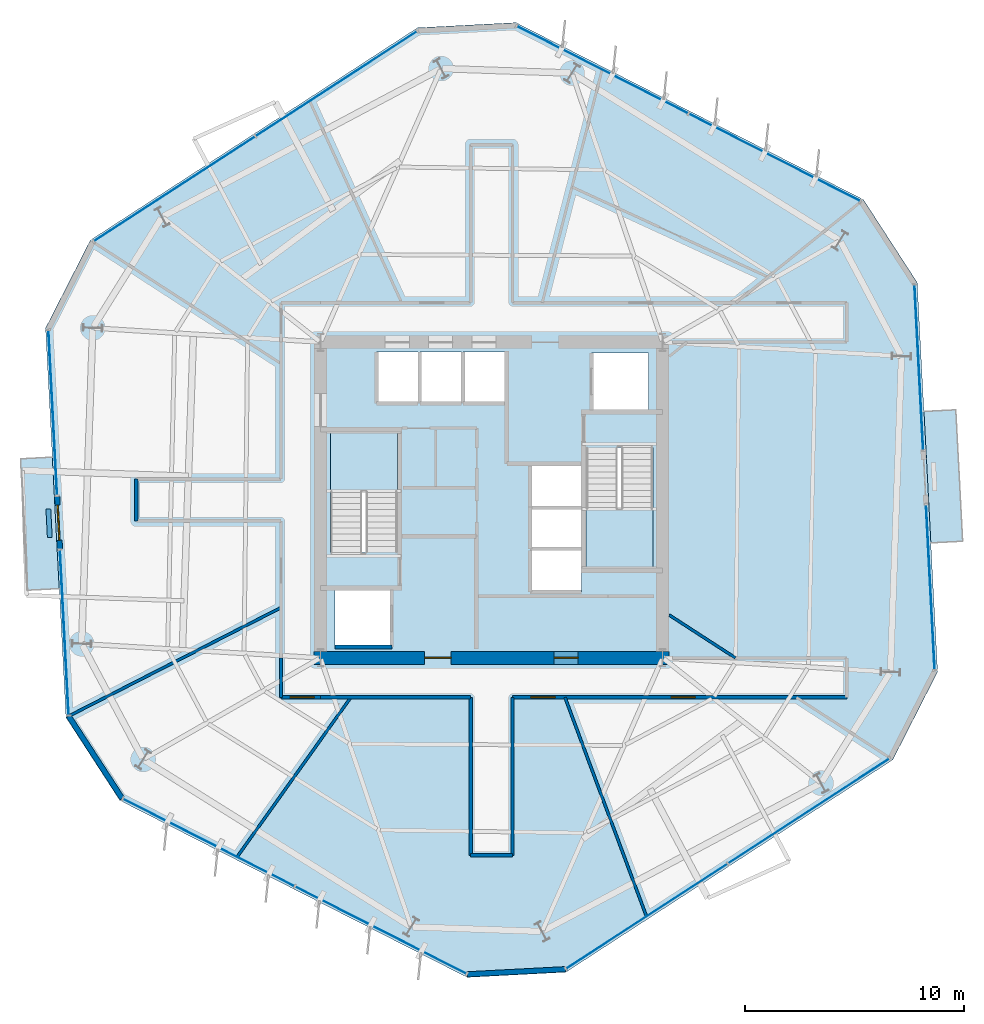
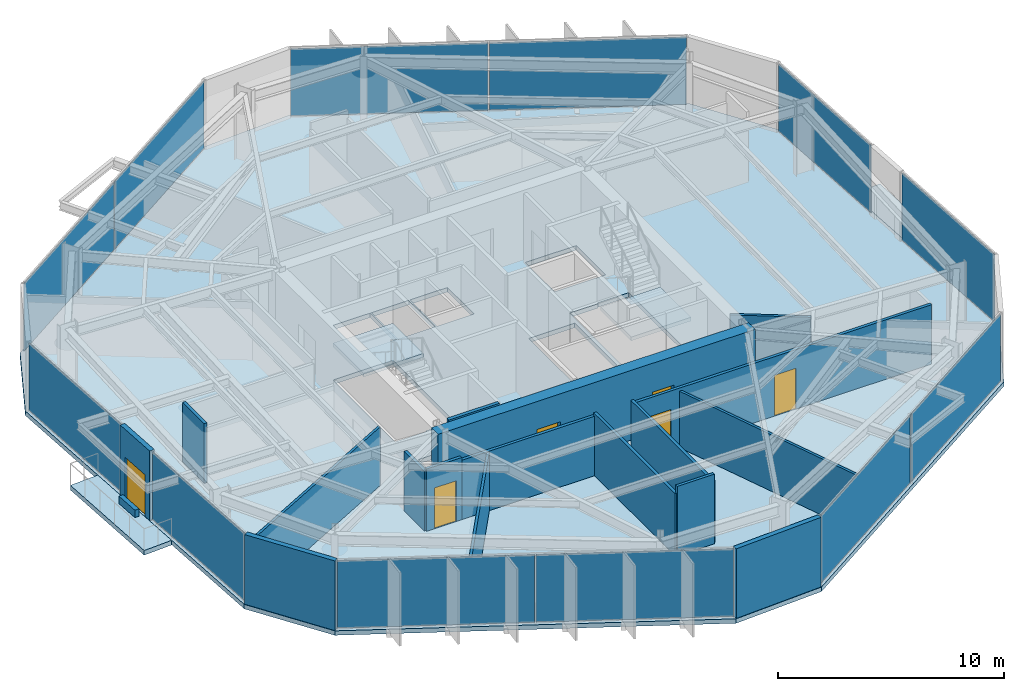
# One storey, part 6 of 12: 18 walls, 12 plates, 6 doors, 5 slabs, 6 openings, 10 elements without a shape of their own.
"""IFC4 building model written with IfcOpenShell, lengths in metres."""

from ifc_helpers import new_model, si_unit, direction, frame, frame_2d, origin, origin_2d, place, context, subcontext, project, spatial, polyline, rectangle, outline, extrude, material, layer, layer_set, type_object, element, fill, aggregate, save


model = new_model("IFC4")

# Units and contexts
model_context = context("Model", 3, precision=1e-05, world=origin(), true_north=direction((0.0, 1.0)))
body_context = subcontext(model_context, "Body", "Model", "MODEL_VIEW")
ifc_project = project(units=[si_unit("LENGTHUNIT", "METRE"), si_unit("AREAUNIT", "SQUARE_METRE"), si_unit("VOLUMEUNIT", "CUBIC_METRE"), si_unit("PLANEANGLEUNIT", "RADIAN"), si_unit("MASSUNIT", "GRAM", prefix="KILO")], contexts=[model_context])

# Site, building, storey
site_placement = place(None, origin())
site = spatial("IfcSite", under=ifc_project, at=site_placement, CompositionType="ELEMENT")
building_placement = place(site_placement, origin())
building = spatial("IfcBuilding", under=site, at=building_placement, Name="Kranzbogen Civic Tower", CompositionType="ELEMENT")
storey_placement = place(building_placement, frame((0.0, 0.0, 154.39990234375)))
storey = spatial("IfcBuildingStorey", under=building, at=storey_placement, Name="L37", CompositionType="ELEMENT", Elevation=154.39990234375)

# Slab
ifc_material_1 = material(Name="Concrete C40/50", Category="concrete")
ifc_layer_1 = layer(ifc_material_1, 0.239990234375, Name="Concrete C40/50")
ifc_layer_set_1 = layer_set([ifc_layer_1], Name="Concrete C40/50")
slab_type_1 = type_object("IfcSlabType", Name="Composite Lower Tower Floor Slab 240 mm", PredefinedType="FLOOR", material=ifc_layer_set_1)
slab_1_placement = place(storey_placement, frame((0.0, 0.0, -0.239990234375)))
element("IfcSlab", 1, at=slab_1_placement, inside=storey, type_object=slab_type_1, Name="L37 tower floor slab", PredefinedType="FLOOR", context=body_context, shape_type="SweptSolid", body=[
    extrude(outline(polyline([(41.95703125, 38.695068359375), (26.112060546875, 46.76806640625), (21.617919921875, 46.531982421875), (6.705078125, 36.846923828125), (4.662109375, 32.837890625), (5.593017578125, 15.080078125), (8.04296875, 11.304931640625), (23.887939453125, 3.23193359375), (28.382080078125, 3.468017578125), (43.294921875, 13.153076171875), (45.337890625, 17.162109375), (44.406982421875, 34.919921875), (41.95703125, 38.695068359375)]), holes=[polyline([(20.449951171875, 20.89990234375), (20.449951171875, 18.300048828125), (17.85009765625, 18.300048828125), (17.85009765625, 20.89990234375), (20.449951171875, 20.89990234375)]), polyline([(29.10009765625, 22.699951171875), (29.10009765625, 20.800048828125), (26.75, 20.800048828125), (26.75, 22.699951171875), (29.10009765625, 22.699951171875)]), polyline([(29.10009765625, 24.64990234375), (29.10009765625, 22.77490234375), (26.75, 22.77490234375), (26.75, 24.64990234375), (26.75, 24.675048828125), (26.75, 26.550048828125), (29.10009765625, 26.550048828125), (29.10009765625, 24.675048828125), (29.10009765625, 24.64990234375)]), polyline([(30.75, 27.340087890625), (30.75, 27.39990234375), (32.35009765625, 27.39990234375), (32.35009765625, 21.89990234375), (29.300048828125, 21.89990234375), (29.300048828125, 27.340087890625), (30.75, 27.340087890625)]), polyline([(19.25, 22.659912109375), (19.25, 22.60009765625), (17.64990234375, 22.60009765625), (17.64990234375, 28.10009765625), (20.699951171875, 28.10009765625), (20.699951171875, 22.659912109375), (19.25, 22.659912109375)]), polyline([(32.14990234375, 31.699951171875), (32.14990234375, 29.10009765625), (29.550048828125, 29.10009765625), (29.550048828125, 31.699951171875), (32.14990234375, 31.699951171875)]), polyline([(21.64990234375, 31.75), (21.64990234375, 29.39990234375), (19.75, 29.39990234375), (19.75, 31.75), (21.64990234375, 31.75)]), polyline([(23.625, 29.39990234375), (21.72509765625, 29.39990234375), (21.72509765625, 31.75), (23.625, 31.75), (23.625, 29.39990234375)]), polyline([(25.60009765625, 29.39990234375), (23.699951171875, 29.39990234375), (23.699951171875, 31.75), (25.60009765625, 31.75), (25.60009765625, 29.39990234375)])]), origin(), (0.0, 0.0, 1.0), 0.239990234375),
])

# Curtain wall, plates
ifc_material_2 = material(Name="Pale Anodised Aluminium", Category="aluminium")
ifc_layer_2 = layer(ifc_material_2, 0.219970703125, Name="Pale Anodised Aluminium")
ifc_layer_set_2 = layer_set([ifc_layer_2], Name="Pale Anodised Aluminium")
curtain_wall_type = type_object("IfcCurtainWallType", Name="Zone 2 Stick Curtain Wall System CW-03", PredefinedType="USERDEFINED", material=ifc_layer_set_2)
curtain_wall_1_placement = place(storey_placement, origin())
curtain_wall_1 = element("IfcCurtainWall", 2, at=curtain_wall_1_placement, inside=storey, type_object=curtain_wall_type, Name="L37 curtain wall CW-L37-F1", ObjectType="STICK CURTAIN WALL", PredefinedType="USERDEFINED")
ifc_material_3 = material(Name="Low-E Triple Glazing Glass", Category="glass")
ifc_layer_3 = layer(ifc_material_3, 0.031982421875, Name="Low-E Triple Glazing Glass")
ifc_layer_set_3 = layer_set([ifc_layer_3], Name="Low-E Triple Glazing Glass")
plate_type = type_object("IfcPlateType", Name="Insulated Low-E Glazing Panel 32 mm", PredefinedType="CURTAIN_PANEL", material=ifc_layer_set_3)
plate_1_placement = place(storey_placement, frame((37.89892578125, 40.619140625, 0.06005859375), z_axis=(0.0, 0.0, 1.0), x_axis=(-0.891017035872, 0.453969868809, 0.0)))
plate_1 = element("IfcPlate", 3, at=plate_1_placement, type_object=plate_type, Name="CW-03 panel 1.1", PredefinedType="CURTAIN_PANEL", context=body_context, shape_type="SweptSolid", body=[
    extrude(rectangle(XDim=8.744384765625, YDim=0.028076171875, at=origin_2d()), origin(), (0.0, 0.0, 1.0), 3.639892578125),
])
plate_2_placement = place(storey_placement, frame((30.05419921875, 44.615966796875, 0.06005859375), z_axis=(0.0, 0.0, 1.0), x_axis=(-0.891017035872, 0.453969868809, 0.0)))
plate_2 = element("IfcPlate", 4, at=plate_2_placement, type_object=plate_type, Name="CW-03 panel 2.1", PredefinedType="CURTAIN_PANEL", context=body_context, shape_type="SweptSolid", body=[
    extrude(rectangle(XDim=8.744384765625, YDim=0.028076171875, at=origin_2d()), origin(), (0.0, 0.0, 1.0), 3.639892578125),
])
aggregate(curtain_wall_1, [plate_1, plate_2])

curtain_wall_2_placement = place(storey_placement, origin())
curtain_wall_2 = element("IfcCurtainWall", 5, at=curtain_wall_2_placement, inside=storey, type_object=curtain_wall_type, Name="L37 curtain wall CW-L37-F2", ObjectType="STICK CURTAIN WALL", PredefinedType="USERDEFINED")
plate_3_placement = place(storey_placement, frame((17.923095703125, 43.97998046875, 0.06005859375), z_axis=(0.0, 0.0, 1.0), x_axis=(-0.83865175397, -0.544668004901, 0.0)))
plate_3 = element("IfcPlate", 6, at=plate_3_placement, type_object=plate_type, Name="CW-03 panel 1.1", PredefinedType="CURTAIN_PANEL", context=body_context, shape_type="SweptSolid", body=[
    extrude(rectangle(XDim=8.743896484375, YDim=0.028076171875, at=origin_2d()), origin(), (0.0, 0.0, 1.0), 3.639892578125),
])
plate_4_placement = place(storey_placement, frame((10.539794921875, 39.184814453125, 0.06005859375), z_axis=(0.0, 0.0, 1.0), x_axis=(-0.83865175397, -0.544668004901, 0.0)))
plate_4 = element("IfcPlate", 7, at=plate_4_placement, type_object=plate_type, Name="CW-03 panel 2.1", PredefinedType="CURTAIN_PANEL", context=body_context, shape_type="SweptSolid", body=[
    extrude(rectangle(XDim=8.743896484375, YDim=0.028076171875, at=origin_2d()), origin(), (0.0, 0.0, 1.0), 3.639892578125),
])
aggregate(curtain_wall_2, [plate_3, plate_4])

# Curtain wall, plate
curtain_wall_3_placement = place(storey_placement, origin())
curtain_wall_3 = element("IfcCurtainWall", 8, at=curtain_wall_3_placement, inside=storey, type_object=curtain_wall_type, Name="L37 curtain wall CW-L37-F3-S1", ObjectType="STICK CURTAIN WALL", PredefinedType="USERDEFINED")
plate_5_placement = place(storey_placement, frame((4.992919921875, 28.97607421875, 0.06005859375), z_axis=(0.0, 0.0, 1.0), x_axis=(0.052393835252, -0.998626499762, 0.0)))
plate_5 = element("IfcPlate", 9, at=plate_5_placement, type_object=plate_type, Name="CW-03 panel 1.1", PredefinedType="CURTAIN_PANEL", context=body_context, shape_type="SweptSolid", body=[
    extrude(rectangle(XDim=7.514404296875, YDim=0.028076171875, at=origin_2d()), origin(), (0.0, 0.0, 1.0), 3.639892578125),
])
aggregate(curtain_wall_3, [plate_5])

curtain_wall_4_placement = place(storey_placement, origin())
curtain_wall_4 = element("IfcCurtainWall", 10, at=curtain_wall_4_placement, inside=storey, type_object=curtain_wall_type, Name="L37 curtain wall CW-L37-F3-S2", ObjectType="STICK CURTAIN WALL", PredefinedType="USERDEFINED")
plate_6_placement = place(storey_placement, frame((5.51806640625, 18.95556640625, 0.06005859375), z_axis=(0.0, 0.0, 1.0), x_axis=(0.052400689505, -0.998626140124, 0.0)))
plate_6 = element("IfcPlate", 11, at=plate_6_placement, type_object=plate_type, Name="CW-03 panel 1.1", PredefinedType="CURTAIN_PANEL", context=body_context, shape_type="SweptSolid", body=[
    extrude(rectangle(XDim=7.513427734375, YDim=0.028076171875, at=origin_2d()), origin(), (0.0, 0.0, 1.0), 3.639892578125),
])
aggregate(curtain_wall_4, [plate_6])

# Curtain wall, plates
curtain_wall_5_placement = place(storey_placement, origin())
curtain_wall_5 = element("IfcCurtainWall", 12, at=curtain_wall_5_placement, inside=storey, type_object=curtain_wall_type, Name="L37 curtain wall CW-L37-F4", ObjectType="STICK CURTAIN WALL", PredefinedType="USERDEFINED")
plate_7_placement = place(storey_placement, frame((12.10107421875, 9.380859375, 0.06005859375), z_axis=(0.0, 0.0, 1.0), x_axis=(0.891017035872, -0.453969868809, 0.0)))
plate_7 = element("IfcPlate", 13, at=plate_7_placement, type_object=plate_type, Name="CW-03 panel 1.1", PredefinedType="CURTAIN_PANEL", context=body_context, shape_type="SweptSolid", body=[
    extrude(rectangle(XDim=8.744384765625, YDim=0.028076171875, at=origin_2d()), origin(), (0.0, 0.0, 1.0), 3.639892578125),
])
plate_8_placement = place(storey_placement, frame((19.94580078125, 5.384033203125, 0.06005859375), z_axis=(0.0, 0.0, 1.0), x_axis=(0.891017035872, -0.453969868809, 0.0)))
plate_8 = element("IfcPlate", 14, at=plate_8_placement, type_object=plate_type, Name="CW-03 panel 2.1", PredefinedType="CURTAIN_PANEL", context=body_context, shape_type="SweptSolid", body=[
    extrude(rectangle(XDim=8.744384765625, YDim=0.028076171875, at=origin_2d()), origin(), (0.0, 0.0, 1.0), 3.639892578125),
])
aggregate(curtain_wall_5, [plate_7, plate_8])

curtain_wall_6_placement = place(storey_placement, origin())
curtain_wall_6 = element("IfcCurtainWall", 15, at=curtain_wall_6_placement, inside=storey, type_object=curtain_wall_type, Name="L37 curtain wall CW-L37-F5", ObjectType="STICK CURTAIN WALL", PredefinedType="USERDEFINED")
plate_9_placement = place(storey_placement, frame((32.076904296875, 6.02001953125, 0.06005859375), z_axis=(0.0, 0.0, 1.0), x_axis=(0.83865175397, 0.544668004901, 0.0)))
plate_9 = element("IfcPlate", 16, at=plate_9_placement, type_object=plate_type, Name="CW-03 panel 1.1", PredefinedType="CURTAIN_PANEL", context=body_context, shape_type="SweptSolid", body=[
    extrude(rectangle(XDim=8.743896484375, YDim=0.028076171875, at=origin_2d()), origin(), (0.0, 0.0, 1.0), 3.639892578125),
])
plate_10_placement = place(storey_placement, frame((39.460205078125, 10.815185546875, 0.06005859375), z_axis=(0.0, 0.0, 1.0), x_axis=(0.83865175397, 0.544668004901, 0.0)))
plate_10 = element("IfcPlate", 17, at=plate_10_placement, type_object=plate_type, Name="CW-03 panel 2.1", PredefinedType="CURTAIN_PANEL", context=body_context, shape_type="SweptSolid", body=[
    extrude(rectangle(XDim=8.743896484375, YDim=0.028076171875, at=origin_2d()), origin(), (0.0, 0.0, 1.0), 3.639892578125),
])
aggregate(curtain_wall_6, [plate_9, plate_10])

# Curtain wall, plate
curtain_wall_7_placement = place(storey_placement, origin())
curtain_wall_7 = element("IfcCurtainWall", 18, at=curtain_wall_7_placement, inside=storey, type_object=curtain_wall_type, Name="L37 curtain wall CW-L37-F6-S1", ObjectType="STICK CURTAIN WALL", PredefinedType="USERDEFINED")
plate_11_placement = place(storey_placement, frame((45.007080078125, 21.02392578125, 0.06005859375), z_axis=(0.0, 0.0, 1.0), x_axis=(-0.052393835252, 0.998626499762, 0.0)))
plate_11 = element("IfcPlate", 19, at=plate_11_placement, type_object=plate_type, Name="CW-03 panel 1.1", PredefinedType="CURTAIN_PANEL", context=body_context, shape_type="SweptSolid", body=[
    extrude(rectangle(XDim=7.514404296875, YDim=0.028076171875, at=origin_2d()), origin(), (0.0, 0.0, 1.0), 3.639892578125),
])
aggregate(curtain_wall_7, [plate_11])

curtain_wall_8_placement = place(storey_placement, origin())
curtain_wall_8 = element("IfcCurtainWall", 20, at=curtain_wall_8_placement, inside=storey, type_object=curtain_wall_type, Name="L37 curtain wall CW-L37-F6-S2", ObjectType="STICK CURTAIN WALL", PredefinedType="USERDEFINED")
plate_12_placement = place(storey_placement, frame((44.48193359375, 31.04443359375, 0.06005859375), z_axis=(0.0, 0.0, 1.0), x_axis=(-0.052400689505, 0.998626140124, 0.0)))
plate_12 = element("IfcPlate", 21, at=plate_12_placement, type_object=plate_type, Name="CW-03 panel 1.1", PredefinedType="CURTAIN_PANEL", context=body_context, shape_type="SweptSolid", body=[
    extrude(rectangle(XDim=7.513427734375, YDim=0.028076171875, at=origin_2d()), origin(), (0.0, 0.0, 1.0), 3.639892578125),
])
aggregate(curtain_wall_8, [plate_12])

# Stair, slab
ifc_material_4 = material(Name="Precast concrete C40/50", Category="concrete")
stair_type_1 = type_object("IfcStairType", Name="Tower Core Pressurized Dogleg Stair 1450", PredefinedType="HALF_TURN_STAIR", material=ifc_material_4)
stair_1_placement = place(storey_placement, origin())
stair_1 = element("IfcStair", 22, at=stair_1_placement, inside=storey, type_object=stair_type_1, Name="L37 Tower Core Pressurized Stair 1", PredefinedType="HALF_TURN_STAIR")
ifc_layer_4 = layer(ifc_material_4, 0.199951171875, Name="Precast concrete C40/50")
ifc_layer_set_4 = layer_set([ifc_layer_4], Name="Precast concrete C40/50")
slab_type_2 = type_object("IfcSlabType", Name="Precast Concrete Stair Landing Slab 200 mm", PredefinedType="LANDING", material=ifc_layer_set_4)
slab_2_placement = place(storey_placement, frame((0.0, 0.0, 1.800048828125)))
slab_2 = element("IfcSlab", 23, at=slab_2_placement, type_object=slab_type_2, Name="ST-T1 landing 1", PredefinedType="LANDING", context=body_context, shape_type="SweptSolid", body=[
    extrude(outline(polyline([(20.699951171875, 25.39990234375), (20.699951171875, 28.10009765625), (17.64990234375, 28.10009765625), (17.64990234375, 25.39990234375), (20.699951171875, 25.39990234375)])), origin(), (0.0, 0.0, 1.0), 0.199951171875),
])
aggregate(stair_1, [slab_2])

stair_type_2 = type_object("IfcStairType", Name="Tower Core Secondary Dogleg Stair 1450", PredefinedType="HALF_TURN_STAIR", material=ifc_material_4)
stair_2_placement = place(storey_placement, origin())
stair_2 = element("IfcStair", 24, at=stair_2_placement, inside=storey, type_object=stair_type_2, Name="L37 Tower Core Pressurized Stair 2", PredefinedType="HALF_TURN_STAIR")
slab_3_placement = place(storey_placement, frame((0.0, 0.0, 1.800048828125)))
slab_3 = element("IfcSlab", 25, at=slab_3_placement, type_object=slab_type_2, Name="ST-T2 landing 1", PredefinedType="LANDING", context=body_context, shape_type="SweptSolid", body=[
    extrude(outline(polyline([(29.300048828125, 24.60009765625), (29.300048828125, 21.89990234375), (32.35009765625, 21.89990234375), (32.35009765625, 24.60009765625), (29.300048828125, 24.60009765625)])), origin(), (0.0, 0.0, 1.0), 0.199951171875),
])
aggregate(stair_2, [slab_3])

# Slabs
ifc_layer_5 = layer(ifc_material_1, 0.25, Name="Concrete C40/50")
ifc_layer_set_5 = layer_set([ifc_layer_5], Name="Concrete C40/50")
slab_type_3 = type_object("IfcSlabType", Name="Tree Balcony Cantilevered Slab 250 mm", PredefinedType="FLOOR", material=ifc_layer_set_5)
slab_4_placement = place(storey_placement, frame((0.0, 0.0, -0.25)))
element("IfcSlab", 26, at=slab_4_placement, inside=storey, type_object=slab_type_3, Name="L37 cantilevered tree balcony L37-TB1", PredefinedType="FLOOR", context=body_context, shape_type="SweptSolid", body=[
    extrude(outline(polyline([(4.969970703125, 26.9541015625), (5.283935546875, 20.962890625), (3.8359375, 20.886962890625), (3.52197265625, 26.8779296875), (4.969970703125, 26.9541015625)])), origin(), (0.0, 0.0, 1.0), 0.25),
])
slab_5_placement = place(storey_placement, frame((0.0, 0.0, -0.25)))
element("IfcSlab", 27, at=slab_5_placement, inside=storey, type_object=slab_type_3, Name="L37 cantilevered tree balcony L37-TB2", PredefinedType="FLOOR", context=body_context, shape_type="SweptSolid", body=[
    extrude(outline(polyline([(45.030029296875, 23.0458984375), (44.716064453125, 29.037109375), (46.1640625, 29.113037109375), (46.47802734375, 23.1220703125), (45.030029296875, 23.0458984375)])), origin(), (0.0, 0.0, 1.0), 0.25),
])

# Wall, opening, door
ifc_material_5 = material(Name="Double-Stud Acoustic Gypsum Partition")
ifc_layer_6 = layer(ifc_material_5, 0.14990234375, Name="Double-Stud Acoustic Gypsum Partition")
ifc_layer_set_6 = layer_set([ifc_layer_6], Name="Double-Stud Acoustic Gypsum Partition")
wall_type_1 = type_object("IfcWallType", Name="Acoustic Corridor and Clinical Partition 150 mm", PredefinedType="PARTITIONING", material=ifc_layer_set_6)
wall_1_placement = place(storey_placement, frame((17.199951171875, 16.0, 0.0), z_axis=(0.0, 0.0, 1.0), x_axis=(-1.0, 0.0, 0.0)))
wall_1 = element("IfcWall", 28, at=wall_1_placement, inside=storey, type_object=wall_type_1, Name="L37 corridor partition 01", PredefinedType="PARTITIONING", context=body_context, shape_type="SweptSolid", body=[
    extrude(rectangle(XDim=1.800048828125, YDim=0.14990234375, at=frame_2d((0.89990234375, 0.0))), origin(), (0.0, 0.0, 1.0), 3.360107421875),
])
opening_1_placement = place(wall_1_placement, frame((0.287109375, 0.0, 0.0)))
opening_1 = element("IfcOpeningElement", 29, at=opening_1_placement, cuts=wall_1, Name="Opening D-COR60", PredefinedType="OPENING", context=body_context, shape_type="SweptSolid", body=[
    extrude(rectangle(XDim=1.10009765625, YDim=2.199951171875, at=frame_2d((0.550048828125, 1.10009765625))), frame((0.0, 0.0849609375, 0.0), z_axis=(0.0, -1.0, 0.0), x_axis=(1.0, 0.0, 0.0)), (0.0, 0.0, 1.0), 0.169921875),
])
ifc_material_6 = material(Name="Oak Timber and Fire Core", Category="wood")
door_type_1 = type_object("IfcDoorType", Name="Corridor Acoustic Fire Door 1100x2200", OperationType="NOTDEFINED", PredefinedType="DOOR", material=ifc_material_6)
door_1_placement = place(opening_1_placement, origin())
door_1 = element("IfcDoor", 30, at=door_1_placement, inside=storey, type_object=door_type_1, Name="L37 Executive Briefing Conference Room door", OperationType="SINGLE_SWING_RIGHT", OverallHeight=2.199951171875, OverallWidth=1.10009765625, PredefinedType="DOOR", context=body_context, shape_type="SweptSolid", body=[
    extrude(rectangle(XDim=1.10009765625, YDim=2.199951171875, at=frame_2d((0.550048828125, 1.10009765625))), frame((0.0, 0.02490234375, 0.0), z_axis=(0.0, -1.0, 0.0), x_axis=(1.0, 0.0, 0.0)), (0.0, 0.0, 1.0), 0.050048828125),
])
fill(opening_1, door_1)

# Walls
wall_2_placement = place(storey_placement, frame((15.39990234375, 16.0, 0.0), z_axis=(0.0, 0.0, 1.0), x_axis=(0.0, 1.0, 0.0)))
element("IfcWall", 31, at=wall_2_placement, inside=storey, type_object=wall_type_1, Name="L37 corridor partition 02", PredefinedType="PARTITIONING", context=body_context, shape_type="SweptSolid", body=[
    extrude(rectangle(XDim=1.800048828125, YDim=0.14990234375, at=frame_2d((0.89990234375, 0.0))), origin(), (0.0, 0.0, 1.0), 3.210205078125),
])
wall_3_placement = place(storey_placement, frame((8.800048828125, 24.050048828125, 0.0), z_axis=(0.0, 0.0, 1.0), x_axis=(0.0, 1.0, 0.0)))
element("IfcWall", 32, at=wall_3_placement, inside=storey, type_object=wall_type_1, Name="L37 corridor partition 05", PredefinedType="PARTITIONING", context=body_context, shape_type="SweptSolid", body=[
    extrude(rectangle(XDim=1.89990234375, YDim=0.14990234375, at=frame_2d((0.949951171875, 0.0))), origin(), (0.0, 0.0, 1.0), 3.22021484375),
])

# Wall, openings, doors
wall_4_placement = place(storey_placement, frame((41.199951171875, 16.0, 0.0), z_axis=(0.0, 0.0, 1.0), x_axis=(-1.0, 0.0, 0.0)))
wall_4 = element("IfcWall", 33, at=wall_4_placement, inside=storey, type_object=wall_type_1, Name="L37 corridor partition 19", PredefinedType="PARTITIONING", context=body_context, shape_type="SweptSolid", body=[
    extrude(rectangle(XDim=15.25, YDim=0.14990234375, at=frame_2d((7.625, 0.0))), origin(), (0.0, 0.0, 1.0), 3.210205078125),
])
opening_2_placement = place(wall_4_placement, frame((13.305908203125, 0.0, 0.0)))
opening_2 = element("IfcOpeningElement", 34, at=opening_2_placement, cuts=wall_4, Name="Opening D-COR60", PredefinedType="OPENING", context=body_context, shape_type="SweptSolid", body=[
    extrude(rectangle(XDim=1.10009765625, YDim=2.199951171875, at=frame_2d((0.550048828125, 1.10009765625))), frame((0.0, 0.0849609375, 0.0), z_axis=(0.0, -1.0, 0.0), x_axis=(1.0, 0.0, 0.0)), (0.0, 0.0, 1.0), 0.169921875),
])
opening_3_placement = place(wall_4_placement, frame((6.91796875, 0.0, 0.0)))
opening_3 = element("IfcOpeningElement", 35, at=opening_3_placement, cuts=wall_4, Name="Opening D-COR60", PredefinedType="OPENING", context=body_context, shape_type="SweptSolid", body=[
    extrude(rectangle(XDim=1.10009765625, YDim=2.199951171875, at=frame_2d((0.550048828125, 1.10009765625))), frame((0.0, 0.0849609375, 0.0), z_axis=(0.0, -1.0, 0.0), x_axis=(1.0, 0.0, 0.0)), (0.0, 0.0, 1.0), 0.169921875),
])
door_2_placement = place(opening_2_placement, origin())
door_2 = element("IfcDoor", 36, at=door_2_placement, inside=storey, type_object=door_type_1, Name="L37 Parliamentary Review Boardroom door", OperationType="SINGLE_SWING_LEFT", OverallHeight=2.199951171875, OverallWidth=1.10009765625, PredefinedType="DOOR", context=body_context, shape_type="SweptSolid", body=[
    extrude(rectangle(XDim=1.10009765625, YDim=2.199951171875, at=frame_2d((0.550048828125, 1.10009765625))), frame((0.0, 0.02490234375, 0.0), z_axis=(0.0, -1.0, 0.0), x_axis=(1.0, 0.0, 0.0)), (0.0, 0.0, 1.0), 0.050048828125),
])
fill(opening_2, door_2)
door_3_placement = place(opening_3_placement, origin())
door_3 = element("IfcDoor", 37, at=door_3_placement, inside=storey, type_object=door_type_1, Name="L37 Policy Seminar Room door", OperationType="SINGLE_SWING_RIGHT", OverallHeight=2.199951171875, OverallWidth=1.10009765625, PredefinedType="DOOR", context=body_context, shape_type="SweptSolid", body=[
    extrude(rectangle(XDim=1.10009765625, YDim=2.199951171875, at=frame_2d((0.550048828125, 1.10009765625))), frame((0.0, 0.02490234375, 0.0), z_axis=(0.0, -1.0, 0.0), x_axis=(1.0, 0.0, 0.0)), (0.0, 0.0, 1.0), 0.050048828125),
])
fill(opening_3, door_3)

# Walls
wall_5_placement = place(storey_placement, frame((25.949951171875, 16.0, 0.0), z_axis=(0.0, 0.0, 1.0), x_axis=(0.0, -1.0, 0.0)))
element("IfcWall", 38, at=wall_5_placement, inside=storey, type_object=wall_type_1, Name="L37 corridor partition 20", PredefinedType="PARTITIONING", context=body_context, shape_type="SweptSolid", body=[
    extrude(rectangle(XDim=7.199951171875, YDim=0.14990234375, at=frame_2d((3.60009765625, 0.0))), origin(), (0.0, 0.0, 1.0), 3.360107421875),
])
wall_6_placement = place(storey_placement, frame((25.949951171875, 8.800048828125, 0.0), z_axis=(0.0, 0.0, 1.0), x_axis=(-1.0, 0.0, 0.0)))
element("IfcWall", 39, at=wall_6_placement, inside=storey, type_object=wall_type_1, Name="L37 corridor partition 21", PredefinedType="PARTITIONING", context=body_context, shape_type="SweptSolid", body=[
    extrude(rectangle(XDim=1.89990234375, YDim=0.14990234375, at=frame_2d((0.949951171875, 0.0))), origin(), (0.0, 0.0, 1.0), 3.760009765625),
])
wall_7_placement = place(storey_placement, frame((24.050048828125, 8.800048828125, 0.0), z_axis=(0.0, 0.0, 1.0), x_axis=(0.0, 1.0, 0.0)))
element("IfcWall", 40, at=wall_7_placement, inside=storey, type_object=wall_type_1, Name="L37 corridor partition 22", PredefinedType="PARTITIONING", context=body_context, shape_type="SweptSolid", body=[
    extrude(rectangle(XDim=7.199951171875, YDim=0.14990234375, at=frame_2d((3.60009765625, 0.0))), origin(), (0.0, 0.0, 1.0), 3.360107421875),
])
wall_8_placement = place(storey_placement, frame((24.050048828125, 16.0, 0.0), z_axis=(0.0, 0.0, 1.0), x_axis=(-1.0, 0.0, 0.0)))
element("IfcWall", 41, at=wall_8_placement, inside=storey, type_object=wall_type_1, Name="L37 corridor partition 23", PredefinedType="PARTITIONING", context=body_context, shape_type="SweptSolid", body=[
    extrude(rectangle(XDim=6.85009765625, YDim=0.14990234375, at=frame_2d((3.425048828125, 0.0))), origin(), (0.0, 0.0, 1.0), 3.210205078125),
])
ifc_material_7 = material(Name="Insulated Metal-Stud Gypsum Partition")
ifc_layer_7 = layer(ifc_material_7, 0.125, Name="Insulated Metal-Stud Gypsum Partition")
ifc_layer_set_7 = layer_set([ifc_layer_7], Name="Insulated Metal-Stud Gypsum Partition")
wall_type_2 = type_object("IfcWallType", Name="Acoustic Inter-Room Partition 125 mm", PredefinedType="PARTITIONING", material=ifc_layer_set_7)
wall_9_placement = place(storey_placement, frame((15.39990234375, 20.093017578125, 0.0), z_axis=(0.0, 0.0, 1.0), x_axis=(-0.890415643469, -0.45514830755, 0.0)))
element("IfcWall", 42, at=wall_9_placement, inside=storey, type_object=wall_type_2, Name="L37 radial room partition 06", PredefinedType="PARTITIONING", context=body_context, shape_type="SweptSolid", body=[
    extrude(rectangle(XDim=10.855712890625, YDim=0.125, at=frame_2d((5.427734375, 0.0))), origin(), (0.0, 0.0, 1.0), 3.16015625),
])
wall_10_placement = place(storey_placement, frame((18.5830078125, 16.0, 0.0), z_axis=(0.0, 0.0, 1.0), x_axis=(-0.580528659024, -0.814239814828, 0.0)))
element("IfcWall", 43, at=wall_10_placement, inside=storey, type_object=wall_type_2, Name="L37 radial room partition 07", PredefinedType="PARTITIONING", context=body_context, shape_type="SweptSolid", body=[
    extrude(rectangle(XDim=8.921142578125, YDim=0.125, at=frame_2d((4.46044921875, 0.0))), origin(), (0.0, 0.0, 1.0), 3.16015625),
])
wall_11_placement = place(storey_placement, frame((28.347900390625, 16.0, 0.0), z_axis=(0.0, 0.0, 1.0), x_axis=(0.34871074409, -0.937230396944, 0.0)))
element("IfcWall", 44, at=wall_11_placement, inside=storey, type_object=wall_type_2, Name="L37 radial room partition 08", PredefinedType="PARTITIONING", context=body_context, shape_type="SweptSolid", body=[
    extrude(rectangle(XDim=10.639892578125, YDim=0.125, at=frame_2d((5.31982421875, 0.0))), origin(), (0.0, 0.0, 1.0), 3.050048828125),
])
wall_12_placement = place(storey_placement, frame((33.10009765625, 19.7548828125, 0.0), z_axis=(0.0, 0.0, 1.0), x_axis=(0.839380694324, -0.543543972459, 0.0)))
element("IfcWall", 45, at=wall_12_placement, inside=storey, type_object=wall_type_2, Name="L37 radial room partition 09", PredefinedType="PARTITIONING", context=body_context, shape_type="SweptSolid", body=[
    extrude(rectangle(XDim=3.596435546875, YDim=0.125, at=frame_2d((1.79833984375, 0.0))), origin(), (0.0, 0.0, 1.0), 3.210205078125),
])
ifc_material_8 = material(Name="Architectural Precast Terracotta Concrete C40/50", Category="masonry")
ifc_layer_8 = layer(ifc_material_8, 0.219970703125, Name="Architectural Precast Terracotta Concrete C40/50")
ifc_layer_set_8 = layer_set([ifc_layer_8], Name="Architectural Precast Terracotta Concrete C40/50")
wall_type_3 = type_object("IfcWallType", Name="Architectural Tree Planter Kerb Wall 220 mm", PredefinedType="USERDEFINED", material=ifc_layer_set_8)
wall_13_placement = place(storey_placement, frame((4.7890625, 24.592041015625, 0.0), z_axis=(0.0, 0.0, 1.0), x_axis=(0.052213802573, -0.998635929066, 0.0)))
element("IfcWall", 46, at=wall_13_placement, inside=storey, type_object=wall_type_3, Name="L37 landscaped tree balcony planter L37-TB1", ObjectType="PLANTER_WALL", PredefinedType="USERDEFINED", context=body_context, shape_type="SweptSolid", body=[
    extrude(rectangle(XDim=1.2998046875, YDim=0.219970703125, at=frame_2d((0.64990234375, 0.0))), origin(), (0.0, 0.0, 1.0), 0.400146484375),
])

# Wall, openings, doors
ifc_material_9 = material(Name="Concrete C55/67", Category="concrete")
ifc_layer_9 = layer(ifc_material_9, 0.60009765625, Name="Concrete C55/67")
ifc_layer_set_9 = layer_set([ifc_layer_9], Name="Concrete C55/67")
wall_type_4 = type_object("IfcWallType", Name="Central Core Shear Wall 600 mm", PredefinedType="SHEAR", material=ifc_layer_set_9)
wall_14_placement = place(storey_placement, frame((16.89990234375, 17.800048828125, 0.0), z_axis=(0.0, 0.0, 1.0), x_axis=(1.0, 0.0, 0.0)))
wall_14 = element("IfcWall", 47, at=wall_14_placement, inside=storey, type_object=wall_type_4, Name="L37 central core South shear wall", PredefinedType="SHEAR", context=body_context, shape_type="SweptSolid", body=[
    extrude(rectangle(XDim=16.2001953125, YDim=0.60009765625, at=frame_2d((8.10009765625, 0.0))), origin(), (0.0, 0.0, 1.0), 3.760009765625),
])
opening_4_placement = place(wall_14_placement, frame((5.050048828125, 0.0, 0.0)))
opening_4 = element("IfcOpeningElement", 48, at=opening_4_placement, cuts=wall_14, Name="Opening D-EX120", PredefinedType="OPENING", context=body_context, shape_type="SweptSolid", body=[
    extrude(rectangle(XDim=1.199951171875, YDim=2.25, at=frame_2d((0.60009765625, 1.125))), frame((0.0, 0.31005859375, 0.0), z_axis=(0.0, -1.0, 0.0), x_axis=(1.0, 0.0, 0.0)), (0.0, 0.0, 1.0), 0.6201171875),
])
opening_5_placement = place(wall_14_placement, frame((10.949951171875, 0.0, 0.0)))
opening_5 = element("IfcOpeningElement", 49, at=opening_5_placement, cuts=wall_14, Name="Opening D-COR60", PredefinedType="OPENING", context=body_context, shape_type="SweptSolid", body=[
    extrude(rectangle(XDim=1.10009765625, YDim=2.199951171875, at=frame_2d((0.550048828125, 1.10009765625))), frame((0.0, 0.31005859375, 0.0), z_axis=(0.0, -1.0, 0.0), x_axis=(1.0, 0.0, 0.0)), (0.0, 0.0, 1.0), 0.6201171875),
])
door_4_placement = place(opening_5_placement, origin())
door_4 = element("IfcDoor", 50, at=door_4_placement, inside=storey, type_object=door_type_1, Name="L37 REC1 archive room door", OperationType="SINGLE_SWING_LEFT", OverallHeight=2.199951171875, OverallWidth=1.10009765625, PredefinedType="DOOR", context=body_context, shape_type="SweptSolid", body=[
    extrude(rectangle(XDim=1.10009765625, YDim=2.199951171875, at=frame_2d((0.550048828125, 1.10009765625))), frame((0.0, 0.02490234375, 0.0), z_axis=(0.0, -1.0, 0.0), x_axis=(1.0, 0.0, 0.0)), (0.0, 0.0, 1.0), 0.050048828125),
])
fill(opening_5, door_4)
ifc_material_10 = material(Name="Steel S355", Category="steel")
door_type_2 = type_object("IfcDoorType", Name="Exit Passageway Fire Door 1200x2250", OperationType="NOTDEFINED", PredefinedType="DOOR", material=ifc_material_10)
door_5_placement = place(opening_4_placement, origin())
door_5 = element("IfcDoor", 51, at=door_5_placement, inside=storey, type_object=door_type_2, Name="L37 West firefighting lobby corridor door", OperationType="SINGLE_SWING_RIGHT", OverallHeight=2.25, OverallWidth=1.199951171875, PredefinedType="DOOR", context=body_context, shape_type="SweptSolid", body=[
    extrude(rectangle(XDim=1.199951171875, YDim=2.25, at=frame_2d((0.60009765625, 1.125))), frame((0.0, 0.02490234375, 0.0), z_axis=(0.0, -1.0, 0.0), x_axis=(1.0, 0.0, 0.0)), (0.0, 0.0, 1.0), 0.050048828125),
])
fill(opening_4, door_5)

# Wall
ifc_material_11 = material(Name="Gypsum Fireboard Shaftliner")
ifc_layer_10 = layer(ifc_material_11, 0.175048828125, Name="Gypsum Fireboard Shaftliner")
ifc_layer_set_10 = layer_set([ifc_layer_10], Name="Gypsum Fireboard Shaftliner")
wall_type_5 = type_object("IfcWallType", Name="Fire-Rated Lift and Service Shaft Wall 175 mm", PredefinedType="PARTITIONING", material=ifc_layer_set_10)
wall_15_placement = place(storey_placement, frame((17.85009765625, 18.300048828125, 0.0), z_axis=(0.0, 0.0, 1.0), x_axis=(1.0, 0.0, 0.0)))
element("IfcWall", 52, at=wall_15_placement, inside=storey, type_object=wall_type_5, Name="L37 lift FF-01 side wall", PredefinedType="PARTITIONING", context=body_context, shape_type="SweptSolid", body=[
    extrude(rectangle(XDim=2.599853515625, YDim=0.175048828125, at=frame_2d((1.2998046875, 0.0))), origin(), (0.0, 0.0, 1.0), 3.760009765625),
])

# Wall, opening, door
ifc_layer_11 = layer(ifc_material_2, 0.239990234375, Name="Pale Anodised Aluminium")
ifc_layer_set_11 = layer_set([ifc_layer_11], Name="Pale Anodised Aluminium")
wall_type_6 = type_object("IfcWallType", Name="Insulated Aluminium Facade Portal Wall 240 mm", PredefinedType="STANDARD", material=ifc_layer_set_11)
wall_16_placement = place(storey_placement, frame((5.193115234375, 25.1640625, 0.0), z_axis=(0.0, 0.0, 1.0), x_axis=(0.052078347636, -0.998643002132, 0.0)))
wall_16 = element("IfcWall", 53, at=wall_16_placement, inside=storey, type_object=wall_type_6, Name="L37 exterior entrance portal wall 1", PredefinedType="STANDARD", context=body_context, shape_type="SweptSolid", body=[
    extrude(rectangle(XDim=2.400146484375, YDim=0.239990234375, at=frame_2d((1.2001953125, 0.0))), origin(), (0.0, 0.0, 1.0), 3.760009765625),
])
opening_6_placement = place(wall_16_placement, frame((0.39990234375, 0.0, 0.0)))
opening_6 = element("IfcOpeningElement", 54, at=opening_6_placement, cuts=wall_16, Name="Opening D-TER", PredefinedType="OPENING", context=body_context, shape_type="SweptSolid", body=[
    extrude(rectangle(XDim=1.60009765625, YDim=2.25, at=frame_2d((0.800048828125, 1.125))), frame((0.0, 0.1298828125, 0.0), z_axis=(0.0, -1.0, 0.0), x_axis=(1.0, 0.0, 0.0)), (0.0, 0.0, 1.0), 0.260009765625),
])
ifc_material_12 = material(Name="Anodised Bronze and Triple Glass", Category="glass")
door_type_3 = type_object("IfcDoorType", Name="Glazed Terrace and Balcony Double Door 1600x2250", OperationType="DOUBLE_DOOR_SINGLE_SWING", PredefinedType="DOOR", material=ifc_material_12)
door_6_placement = place(opening_6_placement, frame((1.60009765625, 0.0, 0.0), z_axis=(0.0, 0.0, 1.0), x_axis=(-1.0, 0.0, 0.0)))
door_6 = element("IfcDoor", 55, at=door_6_placement, inside=storey, type_object=door_type_3, Name="L37 tree balcony access door L37-TB1", OperationType="DOUBLE_DOOR_SINGLE_SWING", OverallHeight=2.25, OverallWidth=1.60009765625, PredefinedType="DOOR", context=body_context, shape_type="SweptSolid", body=[
    extrude(rectangle(XDim=1.60009765625, YDim=2.25, at=frame_2d((0.800048828125, 1.125))), frame((0.0, 0.02490234375, 0.0), z_axis=(0.0, -1.0, 0.0), x_axis=(1.0, 0.0, 0.0)), (0.0, 0.0, 1.0), 0.050048828125),
])
fill(opening_6, door_6)

# Walls
wall_17_placement = place(storey_placement, frame((5.718017578125, 15.14404296875, 0.0), z_axis=(0.0, 0.0, 1.0), x_axis=(0.544351046129, -0.838857519832, 0.0)))
element("IfcWall", 56, at=wall_17_placement, inside=storey, type_object=wall_type_6, Name="L37 chamfered corner facade spandrel 3", PredefinedType="STANDARD", context=body_context, shape_type="SweptSolid", body=[
    extrude(rectangle(XDim=4.471435546875, YDim=0.239990234375, at=frame_2d((2.23583984375, 0.0))), origin(), (0.0, 0.0, 1.0), 3.760009765625),
])
wall_18_placement = place(storey_placement, frame((23.89501953125, 3.3720703125, 0.0), z_axis=(0.0, 0.0, 1.0), x_axis=(0.998630920983, 0.052309498732, 0.0)))
element("IfcWall", 57, at=wall_18_placement, inside=storey, type_object=wall_type_6, Name="L37 chamfered corner facade spandrel 4", PredefinedType="STANDARD", context=body_context, shape_type="SweptSolid", body=[
    extrude(rectangle(XDim=4.47119140625, YDim=0.239990234375, at=frame_2d((2.235595703125, 0.0))), origin(), (0.0, 0.0, 1.0), 3.760009765625),
])

save(model, "model.ifc")
